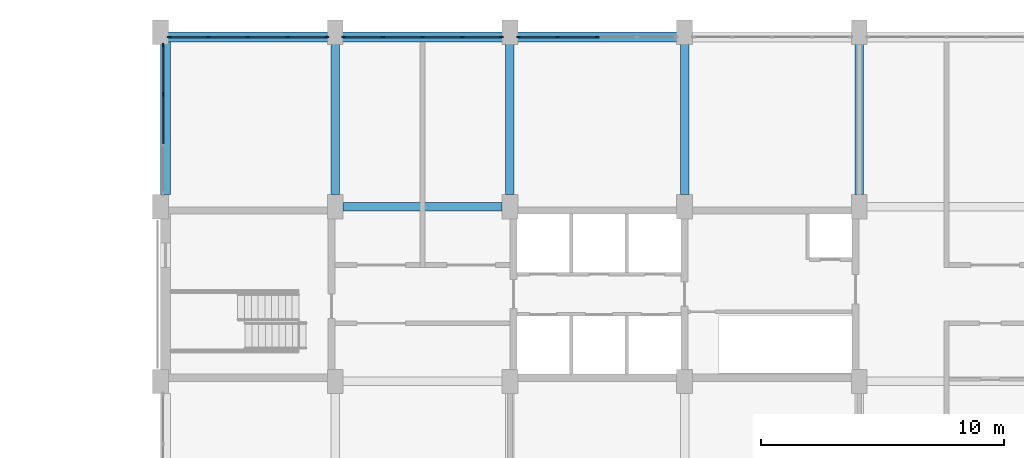
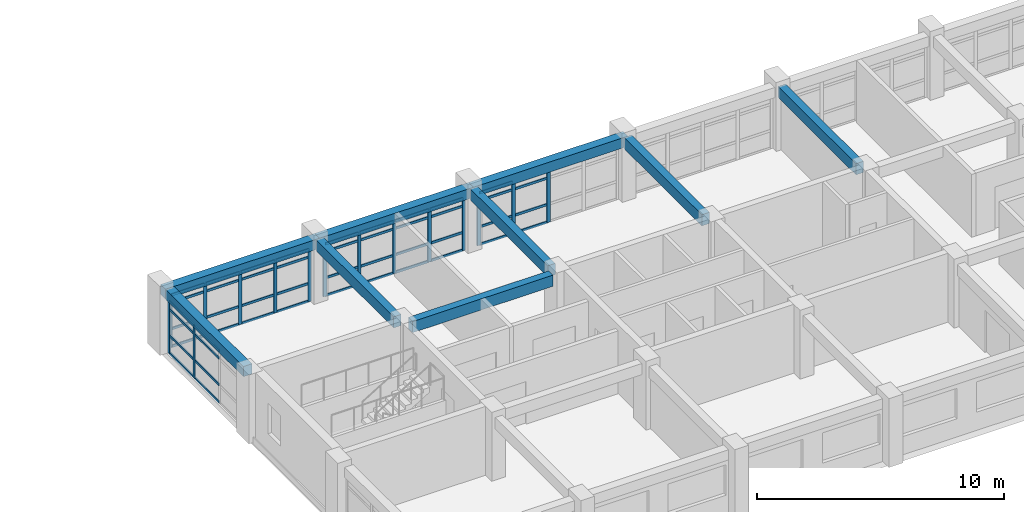
# One storey, part 6 of 19: 62 members, 9 beams, 4 elements without a shape of their own.
"""IFC4 building model written with IfcOpenShell, lengths in metres."""

from ifc_helpers import new_model, si_unit, direction, frame, origin, origin_2d, place, context, subcontext, project, spatial, rectangle, extrude, material, material_profile, profile_set, type_object, element, aggregate, save


model = new_model("IFC4")

# Units and contexts
model_context = context("Model", 3, precision=1e-05, world=origin(), true_north=direction((0.0, 1.0)))
body_context = subcontext(model_context, "Body", "Model", "MODEL_VIEW")
ifc_project = project(units=[si_unit("LENGTHUNIT", "METRE"), si_unit("AREAUNIT", "SQUARE_METRE"), si_unit("VOLUMEUNIT", "CUBIC_METRE"), si_unit("PLANEANGLEUNIT", "RADIAN"), si_unit("MASSUNIT", "GRAM", prefix="KILO")], contexts=[model_context])

# Site, building, storey
site_placement = place(None, origin())
site = spatial("IfcSite", under=ifc_project, at=site_placement, CompositionType="ELEMENT")
building_placement = place(site_placement, origin())
building = spatial("IfcBuilding", under=site, at=building_placement, Name="Vermilion Court Aquatics Centre", CompositionType="ELEMENT")
storey_placement = place(building_placement, frame((0.0, 0.0, 19.89990234375)))
storey = spatial("IfcBuildingStorey", under=building, at=storey_placement, Name="L04", CompositionType="ELEMENT", Elevation=19.89990234375)

# Curtain wall, members
ifc_material_1 = material(Name="Aluminium 6063-T5", Category="aluminium")
curtain_wall_type = type_object("IfcCurtainWallType", Name="North block glazed bay curtain wall 1800 module", PredefinedType="NOTDEFINED", material=ifc_material_1)
curtain_wall_1_placement = place(storey_placement, origin())
curtain_wall_1 = element("IfcCurtainWall", 1, at=curtain_wall_1_placement, inside=storey, type_object=curtain_wall_type, Name="North glazed bay 1 L04", PredefinedType="NOTDEFINED")
ifc_material_2 = material(Name="Aluminium 6063-T5", Category="aluminium")
ifc_material_profile_1 = material_profile(ifc_material_2, rectangle(XDim=0.06005859375, YDim=0.159912109375, at=origin_2d()), Name="AL 60x160")
ifc_profile_set_1 = profile_set([ifc_material_profile_1], Name="Aluminium 6063-T5")
member_type_1 = type_object("IfcMemberType", Name="North block curtain wall mullion 60x160", PredefinedType="MULLION", material=ifc_profile_set_1)
member_1_placement = place(storey_placement, frame((144.35498046875, 115.0, 0.0), z_axis=(0.0, 0.0, 1.0), x_axis=(0.0, 1.0, 0.0)))
member_1 = element("IfcMember", 2, at=member_1_placement, type_object=member_type_1, Name="UCW1 mullion 1", PredefinedType="MULLION", context=body_context, shape_type="SweptSolid", body=[
    extrude(rectangle(XDim=0.06005859375, YDim=0.159912109375, at=origin_2d()), origin(), (0.0, 0.0, 1.0), 2.60009765625),
])
member_2_placement = place(storey_placement, frame((145.96240234375, 115.0, 0.0), z_axis=(0.0, 0.0, 1.0), x_axis=(0.0, 1.0, 0.0)))
member_2 = element("IfcMember", 3, at=member_2_placement, type_object=member_type_1, Name="UCW1 mullion 2", PredefinedType="MULLION", context=body_context, shape_type="SweptSolid", body=[
    extrude(rectangle(XDim=0.06005859375, YDim=0.159912109375, at=origin_2d()), origin(), (0.0, 0.0, 1.0), 2.60009765625),
])
member_3_placement = place(storey_placement, frame((147.60009765625, 115.0, 0.0), z_axis=(0.0, 0.0, 1.0), x_axis=(0.0, 1.0, 0.0)))
member_3 = element("IfcMember", 4, at=member_3_placement, type_object=member_type_1, Name="UCW1 mullion 3", PredefinedType="MULLION", context=body_context, shape_type="SweptSolid", body=[
    extrude(rectangle(XDim=0.06005859375, YDim=0.159912109375, at=origin_2d()), origin(), (0.0, 0.0, 1.0), 2.60009765625),
])
member_4_placement = place(storey_placement, frame((149.237548828125, 115.0, 0.0), z_axis=(0.0, 0.0, 1.0), x_axis=(0.0, 1.0, 0.0)))
member_4 = element("IfcMember", 5, at=member_4_placement, type_object=member_type_1, Name="UCW1 mullion 4", PredefinedType="MULLION", context=body_context, shape_type="SweptSolid", body=[
    extrude(rectangle(XDim=0.06005859375, YDim=0.159912109375, at=origin_2d()), origin(), (0.0, 0.0, 1.0), 2.60009765625),
])
member_5_placement = place(storey_placement, frame((150.844970703125, 115.0, 0.0), z_axis=(0.0, 0.0, 1.0), x_axis=(0.0, 1.0, 0.0)))
member_5 = element("IfcMember", 6, at=member_5_placement, type_object=member_type_1, Name="UCW1 mullion 5", PredefinedType="MULLION", context=body_context, shape_type="SweptSolid", body=[
    extrude(rectangle(XDim=0.06005859375, YDim=0.159912109375, at=origin_2d()), origin(), (0.0, 0.0, 1.0), 2.60009765625),
])

curtain_wall_2_placement = place(storey_placement, origin())
curtain_wall_2 = element("IfcCurtainWall", 7, at=curtain_wall_2_placement, inside=storey, type_object=curtain_wall_type, Name="North glazed bay 2 L04", PredefinedType="NOTDEFINED")
member_6_placement = place(storey_placement, frame((151.554931640625, 115.0, 0.0), z_axis=(0.0, 0.0, 1.0), x_axis=(0.0, 1.0, 0.0)))
member_6 = element("IfcMember", 8, at=member_6_placement, type_object=member_type_1, Name="UCW1 mullion 1", PredefinedType="MULLION", context=body_context, shape_type="SweptSolid", body=[
    extrude(rectangle(XDim=0.06005859375, YDim=0.159912109375, at=origin_2d()), origin(), (0.0, 0.0, 1.0), 2.60009765625),
])
member_7_placement = place(storey_placement, frame((153.16259765625, 115.0, 0.0), z_axis=(0.0, 0.0, 1.0), x_axis=(0.0, 1.0, 0.0)))
member_7 = element("IfcMember", 9, at=member_7_placement, type_object=member_type_1, Name="UCW1 mullion 2", PredefinedType="MULLION", context=body_context, shape_type="SweptSolid", body=[
    extrude(rectangle(XDim=0.06005859375, YDim=0.159912109375, at=origin_2d()), origin(), (0.0, 0.0, 1.0), 2.60009765625),
])
member_8_placement = place(storey_placement, frame((154.800048828125, 115.0, 0.0), z_axis=(0.0, 0.0, 1.0), x_axis=(0.0, 1.0, 0.0)))
member_8 = element("IfcMember", 10, at=member_8_placement, type_object=member_type_1, Name="UCW1 mullion 3", PredefinedType="MULLION", context=body_context, shape_type="SweptSolid", body=[
    extrude(rectangle(XDim=0.06005859375, YDim=0.159912109375, at=origin_2d()), origin(), (0.0, 0.0, 1.0), 2.60009765625),
])
member_9_placement = place(storey_placement, frame((156.4375, 115.0, 0.0), z_axis=(0.0, 0.0, 1.0), x_axis=(0.0, 1.0, 0.0)))
member_9 = element("IfcMember", 11, at=member_9_placement, type_object=member_type_1, Name="UCW1 mullion 4", PredefinedType="MULLION", context=body_context, shape_type="SweptSolid", body=[
    extrude(rectangle(XDim=0.06005859375, YDim=0.159912109375, at=origin_2d()), origin(), (0.0, 0.0, 1.0), 2.60009765625),
])
member_10_placement = place(storey_placement, frame((158.044921875, 115.0, 0.0), z_axis=(0.0, 0.0, 1.0), x_axis=(0.0, 1.0, 0.0)))
member_10 = element("IfcMember", 12, at=member_10_placement, type_object=member_type_1, Name="UCW1 mullion 5", PredefinedType="MULLION", context=body_context, shape_type="SweptSolid", body=[
    extrude(rectangle(XDim=0.06005859375, YDim=0.159912109375, at=origin_2d()), origin(), (0.0, 0.0, 1.0), 2.60009765625),
])

curtain_wall_3_placement = place(storey_placement, origin())
curtain_wall_3 = element("IfcCurtainWall", 13, at=curtain_wall_3_placement, inside=storey, type_object=curtain_wall_type, Name="North glazed bay 3 L04", PredefinedType="NOTDEFINED")
member_11_placement = place(storey_placement, frame((158.7548828125, 115.0, 0.0), z_axis=(0.0, 0.0, 1.0), x_axis=(0.0, 1.0, 0.0)))
member_11 = element("IfcMember", 14, at=member_11_placement, type_object=member_type_1, Name="UCW1 mullion 1", PredefinedType="MULLION", context=body_context, shape_type="SweptSolid", body=[
    extrude(rectangle(XDim=0.06005859375, YDim=0.159912109375, at=origin_2d()), origin(), (0.0, 0.0, 1.0), 2.60009765625),
])
member_12_placement = place(storey_placement, frame((160.362548828125, 115.0, 0.0), z_axis=(0.0, 0.0, 1.0), x_axis=(0.0, 1.0, 0.0)))
member_12 = element("IfcMember", 15, at=member_12_placement, type_object=member_type_1, Name="UCW1 mullion 2", PredefinedType="MULLION", context=body_context, shape_type="SweptSolid", body=[
    extrude(rectangle(XDim=0.06005859375, YDim=0.159912109375, at=origin_2d()), origin(), (0.0, 0.0, 1.0), 2.60009765625),
])
member_13_placement = place(storey_placement, frame((162.0, 115.0, 0.0), z_axis=(0.0, 0.0, 1.0), x_axis=(0.0, 1.0, 0.0)))
member_13 = element("IfcMember", 16, at=member_13_placement, type_object=member_type_1, Name="UCW1 mullion 3", PredefinedType="MULLION", context=body_context, shape_type="SweptSolid", body=[
    extrude(rectangle(XDim=0.06005859375, YDim=0.159912109375, at=origin_2d()), origin(), (0.0, 0.0, 1.0), 2.60009765625),
])

curtain_wall_4_placement = place(storey_placement, origin())
curtain_wall_4 = element("IfcCurtainWall", 17, at=curtain_wall_4_placement, inside=storey, type_object=curtain_wall_type, Name="West glazed bay 2 L04", PredefinedType="NOTDEFINED")
member_14_placement = place(storey_placement, frame((144.10009765625, 112.63330078125, 0.0), z_axis=(0.0, 0.0, 1.0), x_axis=(-1.0, 0.0, 0.0)))
member_14 = element("IfcMember", 18, at=member_14_placement, type_object=member_type_1, Name="UCW1 mullion 3", PredefinedType="MULLION", context=body_context, shape_type="SweptSolid", body=[
    extrude(rectangle(XDim=0.06005859375, YDim=0.159912109375, at=origin_2d()), origin(), (0.0, 0.0, 1.0), 2.60009765625),
])
member_15_placement = place(storey_placement, frame((144.10009765625, 114.669921875, 0.0), z_axis=(0.0, 0.0, 1.0), x_axis=(-1.0, 0.0, 0.0)))
member_15 = element("IfcMember", 19, at=member_15_placement, type_object=member_type_1, Name="UCW1 mullion 4", PredefinedType="MULLION", context=body_context, shape_type="SweptSolid", body=[
    extrude(rectangle(XDim=0.06005859375, YDim=0.159912109375, at=origin_2d()), origin(), (0.0, 0.0, 1.0), 2.60009765625),
])

# Member
ifc_material_3 = material(Name="Aluminium 6063-T5", Category="aluminium")
ifc_material_profile_2 = material_profile(ifc_material_3, rectangle(XDim=0.06005859375, YDim=0.1201171875, at=origin_2d()), Name="AL 60x120")
ifc_profile_set_2 = profile_set([ifc_material_profile_2], Name="Aluminium 6063-T5")
member_type_2 = type_object("IfcMemberType", Name="North block curtain wall transom 60x120", PredefinedType="USERDEFINED", material=ifc_profile_set_2)
member_16_placement = place(storey_placement, frame((144.385009765625, 115.0, 0.030029296875), z_axis=(1.0, 0.0, 0.0), x_axis=(0.0, 1.0, 0.0)))
member_16 = element("IfcMember", 20, at=member_16_placement, type_object=member_type_2, Name="UCW1 transom 1.1", ObjectType="TRANSOM", PredefinedType="USERDEFINED", context=body_context, shape_type="SweptSolid", body=[
    extrude(rectangle(XDim=0.06005859375, YDim=0.1201171875, at=origin_2d()), origin(), (0.0, 0.0, 1.0), 1.547607421875),
])

member_17_placement = place(storey_placement, frame((144.385009765625, 115.0, 0.900146484375), z_axis=(1.0, 0.0, 0.0), x_axis=(0.0, 1.0, 0.0)))
member_17 = element("IfcMember", 21, at=member_17_placement, type_object=member_type_2, Name="UCW1 transom 1.2", ObjectType="TRANSOM", PredefinedType="USERDEFINED", context=body_context, shape_type="SweptSolid", body=[
    extrude(rectangle(XDim=0.06005859375, YDim=0.1201171875, at=origin_2d()), origin(), (0.0, 0.0, 1.0), 1.547607421875),
])

member_18_placement = place(storey_placement, frame((144.385009765625, 115.0, 2.2001953125), z_axis=(1.0, 0.0, 0.0), x_axis=(0.0, 1.0, 0.0)))
member_18 = element("IfcMember", 22, at=member_18_placement, type_object=member_type_2, Name="UCW1 transom 1.3", ObjectType="TRANSOM", PredefinedType="USERDEFINED", context=body_context, shape_type="SweptSolid", body=[
    extrude(rectangle(XDim=0.06005859375, YDim=0.1201171875, at=origin_2d()), origin(), (0.0, 0.0, 1.0), 1.547607421875),
])

member_19_placement = place(storey_placement, frame((144.385009765625, 115.0, 2.570068359375), z_axis=(1.0, 0.0, 0.0), x_axis=(0.0, 1.0, 0.0)))
member_19 = element("IfcMember", 23, at=member_19_placement, type_object=member_type_2, Name="UCW1 transom 1.4", ObjectType="TRANSOM", PredefinedType="USERDEFINED", context=body_context, shape_type="SweptSolid", body=[
    extrude(rectangle(XDim=0.06005859375, YDim=0.1201171875, at=origin_2d()), origin(), (0.0, 0.0, 1.0), 1.547607421875),
])

member_20_placement = place(storey_placement, frame((145.992431640625, 115.0, 0.030029296875), z_axis=(1.0, 0.0, 0.0), x_axis=(0.0, 1.0, 0.0)))
member_20 = element("IfcMember", 24, at=member_20_placement, type_object=member_type_2, Name="UCW1 transom 2.1", ObjectType="TRANSOM", PredefinedType="USERDEFINED", context=body_context, shape_type="SweptSolid", body=[
    extrude(rectangle(XDim=0.06005859375, YDim=0.1201171875, at=origin_2d()), origin(), (0.0, 0.0, 1.0), 1.57763671875),
])

member_21_placement = place(storey_placement, frame((145.992431640625, 115.0, 0.900146484375), z_axis=(1.0, 0.0, 0.0), x_axis=(0.0, 1.0, 0.0)))
member_21 = element("IfcMember", 25, at=member_21_placement, type_object=member_type_2, Name="UCW1 transom 2.2", ObjectType="TRANSOM", PredefinedType="USERDEFINED", context=body_context, shape_type="SweptSolid", body=[
    extrude(rectangle(XDim=0.06005859375, YDim=0.1201171875, at=origin_2d()), origin(), (0.0, 0.0, 1.0), 1.57763671875),
])

member_22_placement = place(storey_placement, frame((145.992431640625, 115.0, 2.2001953125), z_axis=(1.0, 0.0, 0.0), x_axis=(0.0, 1.0, 0.0)))
member_22 = element("IfcMember", 26, at=member_22_placement, type_object=member_type_2, Name="UCW1 transom 2.3", ObjectType="TRANSOM", PredefinedType="USERDEFINED", context=body_context, shape_type="SweptSolid", body=[
    extrude(rectangle(XDim=0.06005859375, YDim=0.1201171875, at=origin_2d()), origin(), (0.0, 0.0, 1.0), 1.57763671875),
])

member_23_placement = place(storey_placement, frame((145.992431640625, 115.0, 2.570068359375), z_axis=(1.0, 0.0, 0.0), x_axis=(0.0, 1.0, 0.0)))
member_23 = element("IfcMember", 27, at=member_23_placement, type_object=member_type_2, Name="UCW1 transom 2.4", ObjectType="TRANSOM", PredefinedType="USERDEFINED", context=body_context, shape_type="SweptSolid", body=[
    extrude(rectangle(XDim=0.06005859375, YDim=0.1201171875, at=origin_2d()), origin(), (0.0, 0.0, 1.0), 1.57763671875),
])

member_24_placement = place(storey_placement, frame((147.6298828125, 115.0, 0.030029296875), z_axis=(1.0, 0.0, 0.0), x_axis=(0.0, 1.0, 0.0)))
member_24 = element("IfcMember", 28, at=member_24_placement, type_object=member_type_2, Name="UCW1 transom 3.1", ObjectType="TRANSOM", PredefinedType="USERDEFINED", context=body_context, shape_type="SweptSolid", body=[
    extrude(rectangle(XDim=0.06005859375, YDim=0.1201171875, at=origin_2d()), origin(), (0.0, 0.0, 1.0), 1.57763671875),
])

member_25_placement = place(storey_placement, frame((147.6298828125, 115.0, 0.900146484375), z_axis=(1.0, 0.0, 0.0), x_axis=(0.0, 1.0, 0.0)))
member_25 = element("IfcMember", 29, at=member_25_placement, type_object=member_type_2, Name="UCW1 transom 3.2", ObjectType="TRANSOM", PredefinedType="USERDEFINED", context=body_context, shape_type="SweptSolid", body=[
    extrude(rectangle(XDim=0.06005859375, YDim=0.1201171875, at=origin_2d()), origin(), (0.0, 0.0, 1.0), 1.57763671875),
])

member_26_placement = place(storey_placement, frame((147.6298828125, 115.0, 2.2001953125), z_axis=(1.0, 0.0, 0.0), x_axis=(0.0, 1.0, 0.0)))
member_26 = element("IfcMember", 30, at=member_26_placement, type_object=member_type_2, Name="UCW1 transom 3.3", ObjectType="TRANSOM", PredefinedType="USERDEFINED", context=body_context, shape_type="SweptSolid", body=[
    extrude(rectangle(XDim=0.06005859375, YDim=0.1201171875, at=origin_2d()), origin(), (0.0, 0.0, 1.0), 1.57763671875),
])

member_27_placement = place(storey_placement, frame((147.6298828125, 115.0, 2.570068359375), z_axis=(1.0, 0.0, 0.0), x_axis=(0.0, 1.0, 0.0)))
member_27 = element("IfcMember", 31, at=member_27_placement, type_object=member_type_2, Name="UCW1 transom 3.4", ObjectType="TRANSOM", PredefinedType="USERDEFINED", context=body_context, shape_type="SweptSolid", body=[
    extrude(rectangle(XDim=0.06005859375, YDim=0.1201171875, at=origin_2d()), origin(), (0.0, 0.0, 1.0), 1.57763671875),
])

member_28_placement = place(storey_placement, frame((149.267578125, 115.0, 0.030029296875), z_axis=(1.0, 0.0, 0.0), x_axis=(0.0, 1.0, 0.0)))
member_28 = element("IfcMember", 32, at=member_28_placement, type_object=member_type_2, Name="UCW1 transom 4.1", ObjectType="TRANSOM", PredefinedType="USERDEFINED", context=body_context, shape_type="SweptSolid", body=[
    extrude(rectangle(XDim=0.06005859375, YDim=0.1201171875, at=origin_2d()), origin(), (0.0, 0.0, 1.0), 1.54736328125),
])

member_29_placement = place(storey_placement, frame((149.267578125, 115.0, 0.900146484375), z_axis=(1.0, 0.0, 0.0), x_axis=(0.0, 1.0, 0.0)))
member_29 = element("IfcMember", 33, at=member_29_placement, type_object=member_type_2, Name="UCW1 transom 4.2", ObjectType="TRANSOM", PredefinedType="USERDEFINED", context=body_context, shape_type="SweptSolid", body=[
    extrude(rectangle(XDim=0.06005859375, YDim=0.1201171875, at=origin_2d()), origin(), (0.0, 0.0, 1.0), 1.54736328125),
])

member_30_placement = place(storey_placement, frame((149.267578125, 115.0, 2.2001953125), z_axis=(1.0, 0.0, 0.0), x_axis=(0.0, 1.0, 0.0)))
member_30 = element("IfcMember", 34, at=member_30_placement, type_object=member_type_2, Name="UCW1 transom 4.3", ObjectType="TRANSOM", PredefinedType="USERDEFINED", context=body_context, shape_type="SweptSolid", body=[
    extrude(rectangle(XDim=0.06005859375, YDim=0.1201171875, at=origin_2d()), origin(), (0.0, 0.0, 1.0), 1.54736328125),
])

member_31_placement = place(storey_placement, frame((149.267578125, 115.0, 2.570068359375), z_axis=(1.0, 0.0, 0.0), x_axis=(0.0, 1.0, 0.0)))
member_31 = element("IfcMember", 35, at=member_31_placement, type_object=member_type_2, Name="UCW1 transom 4.4", ObjectType="TRANSOM", PredefinedType="USERDEFINED", context=body_context, shape_type="SweptSolid", body=[
    extrude(rectangle(XDim=0.06005859375, YDim=0.1201171875, at=origin_2d()), origin(), (0.0, 0.0, 1.0), 1.54736328125),
])

aggregate(curtain_wall_1, [member_1, member_2, member_3, member_4, member_5, member_16, member_17, member_18, member_19, member_20, member_21, member_22, member_23, member_24, member_25, member_26, member_27, member_28, member_29, member_30, member_31])

member_32_placement = place(storey_placement, frame((151.5849609375, 115.0, 0.030029296875), z_axis=(1.0, 0.0, 0.0), x_axis=(0.0, 1.0, 0.0)))
member_32 = element("IfcMember", 36, at=member_32_placement, type_object=member_type_2, Name="UCW1 transom 1.1", ObjectType="TRANSOM", PredefinedType="USERDEFINED", context=body_context, shape_type="SweptSolid", body=[
    extrude(rectangle(XDim=0.06005859375, YDim=0.1201171875, at=origin_2d()), origin(), (0.0, 0.0, 1.0), 1.547607421875),
])

member_33_placement = place(storey_placement, frame((151.5849609375, 115.0, 0.900146484375), z_axis=(1.0, 0.0, 0.0), x_axis=(0.0, 1.0, 0.0)))
member_33 = element("IfcMember", 37, at=member_33_placement, type_object=member_type_2, Name="UCW1 transom 1.2", ObjectType="TRANSOM", PredefinedType="USERDEFINED", context=body_context, shape_type="SweptSolid", body=[
    extrude(rectangle(XDim=0.06005859375, YDim=0.1201171875, at=origin_2d()), origin(), (0.0, 0.0, 1.0), 1.547607421875),
])

member_34_placement = place(storey_placement, frame((151.5849609375, 115.0, 2.2001953125), z_axis=(1.0, 0.0, 0.0), x_axis=(0.0, 1.0, 0.0)))
member_34 = element("IfcMember", 38, at=member_34_placement, type_object=member_type_2, Name="UCW1 transom 1.3", ObjectType="TRANSOM", PredefinedType="USERDEFINED", context=body_context, shape_type="SweptSolid", body=[
    extrude(rectangle(XDim=0.06005859375, YDim=0.1201171875, at=origin_2d()), origin(), (0.0, 0.0, 1.0), 1.547607421875),
])

member_35_placement = place(storey_placement, frame((151.5849609375, 115.0, 2.570068359375), z_axis=(1.0, 0.0, 0.0), x_axis=(0.0, 1.0, 0.0)))
member_35 = element("IfcMember", 39, at=member_35_placement, type_object=member_type_2, Name="UCW1 transom 1.4", ObjectType="TRANSOM", PredefinedType="USERDEFINED", context=body_context, shape_type="SweptSolid", body=[
    extrude(rectangle(XDim=0.06005859375, YDim=0.1201171875, at=origin_2d()), origin(), (0.0, 0.0, 1.0), 1.547607421875),
])

member_36_placement = place(storey_placement, frame((153.1923828125, 115.0, 0.030029296875), z_axis=(1.0, 0.0, 0.0), x_axis=(0.0, 1.0, 0.0)))
member_36 = element("IfcMember", 40, at=member_36_placement, type_object=member_type_2, Name="UCW1 transom 2.1", ObjectType="TRANSOM", PredefinedType="USERDEFINED", context=body_context, shape_type="SweptSolid", body=[
    extrude(rectangle(XDim=0.06005859375, YDim=0.1201171875, at=origin_2d()), origin(), (0.0, 0.0, 1.0), 1.57763671875),
])

member_37_placement = place(storey_placement, frame((153.1923828125, 115.0, 0.900146484375), z_axis=(1.0, 0.0, 0.0), x_axis=(0.0, 1.0, 0.0)))
member_37 = element("IfcMember", 41, at=member_37_placement, type_object=member_type_2, Name="UCW1 transom 2.2", ObjectType="TRANSOM", PredefinedType="USERDEFINED", context=body_context, shape_type="SweptSolid", body=[
    extrude(rectangle(XDim=0.06005859375, YDim=0.1201171875, at=origin_2d()), origin(), (0.0, 0.0, 1.0), 1.57763671875),
])

member_38_placement = place(storey_placement, frame((153.1923828125, 115.0, 2.2001953125), z_axis=(1.0, 0.0, 0.0), x_axis=(0.0, 1.0, 0.0)))
member_38 = element("IfcMember", 42, at=member_38_placement, type_object=member_type_2, Name="UCW1 transom 2.3", ObjectType="TRANSOM", PredefinedType="USERDEFINED", context=body_context, shape_type="SweptSolid", body=[
    extrude(rectangle(XDim=0.06005859375, YDim=0.1201171875, at=origin_2d()), origin(), (0.0, 0.0, 1.0), 1.57763671875),
])

member_39_placement = place(storey_placement, frame((153.1923828125, 115.0, 2.570068359375), z_axis=(1.0, 0.0, 0.0), x_axis=(0.0, 1.0, 0.0)))
member_39 = element("IfcMember", 43, at=member_39_placement, type_object=member_type_2, Name="UCW1 transom 2.4", ObjectType="TRANSOM", PredefinedType="USERDEFINED", context=body_context, shape_type="SweptSolid", body=[
    extrude(rectangle(XDim=0.06005859375, YDim=0.1201171875, at=origin_2d()), origin(), (0.0, 0.0, 1.0), 1.57763671875),
])

member_40_placement = place(storey_placement, frame((154.830078125, 115.0, 0.030029296875), z_axis=(1.0, 0.0, 0.0), x_axis=(0.0, 1.0, 0.0)))
member_40 = element("IfcMember", 44, at=member_40_placement, type_object=member_type_2, Name="UCW1 transom 3.1", ObjectType="TRANSOM", PredefinedType="USERDEFINED", context=body_context, shape_type="SweptSolid", body=[
    extrude(rectangle(XDim=0.06005859375, YDim=0.1201171875, at=origin_2d()), origin(), (0.0, 0.0, 1.0), 1.577392578125),
])

member_41_placement = place(storey_placement, frame((154.830078125, 115.0, 0.900146484375), z_axis=(1.0, 0.0, 0.0), x_axis=(0.0, 1.0, 0.0)))
member_41 = element("IfcMember", 45, at=member_41_placement, type_object=member_type_2, Name="UCW1 transom 3.2", ObjectType="TRANSOM", PredefinedType="USERDEFINED", context=body_context, shape_type="SweptSolid", body=[
    extrude(rectangle(XDim=0.06005859375, YDim=0.1201171875, at=origin_2d()), origin(), (0.0, 0.0, 1.0), 1.577392578125),
])

member_42_placement = place(storey_placement, frame((154.830078125, 115.0, 2.2001953125), z_axis=(1.0, 0.0, 0.0), x_axis=(0.0, 1.0, 0.0)))
member_42 = element("IfcMember", 46, at=member_42_placement, type_object=member_type_2, Name="UCW1 transom 3.3", ObjectType="TRANSOM", PredefinedType="USERDEFINED", context=body_context, shape_type="SweptSolid", body=[
    extrude(rectangle(XDim=0.06005859375, YDim=0.1201171875, at=origin_2d()), origin(), (0.0, 0.0, 1.0), 1.577392578125),
])

member_43_placement = place(storey_placement, frame((154.830078125, 115.0, 2.570068359375), z_axis=(1.0, 0.0, 0.0), x_axis=(0.0, 1.0, 0.0)))
member_43 = element("IfcMember", 47, at=member_43_placement, type_object=member_type_2, Name="UCW1 transom 3.4", ObjectType="TRANSOM", PredefinedType="USERDEFINED", context=body_context, shape_type="SweptSolid", body=[
    extrude(rectangle(XDim=0.06005859375, YDim=0.1201171875, at=origin_2d()), origin(), (0.0, 0.0, 1.0), 1.577392578125),
])

member_44_placement = place(storey_placement, frame((156.467529296875, 115.0, 0.030029296875), z_axis=(1.0, 0.0, 0.0), x_axis=(0.0, 1.0, 0.0)))
member_44 = element("IfcMember", 48, at=member_44_placement, type_object=member_type_2, Name="UCW1 transom 4.1", ObjectType="TRANSOM", PredefinedType="USERDEFINED", context=body_context, shape_type="SweptSolid", body=[
    extrude(rectangle(XDim=0.06005859375, YDim=0.1201171875, at=origin_2d()), origin(), (0.0, 0.0, 1.0), 1.54736328125),
])

member_45_placement = place(storey_placement, frame((156.467529296875, 115.0, 0.900146484375), z_axis=(1.0, 0.0, 0.0), x_axis=(0.0, 1.0, 0.0)))
member_45 = element("IfcMember", 49, at=member_45_placement, type_object=member_type_2, Name="UCW1 transom 4.2", ObjectType="TRANSOM", PredefinedType="USERDEFINED", context=body_context, shape_type="SweptSolid", body=[
    extrude(rectangle(XDim=0.06005859375, YDim=0.1201171875, at=origin_2d()), origin(), (0.0, 0.0, 1.0), 1.54736328125),
])

member_46_placement = place(storey_placement, frame((156.467529296875, 115.0, 2.2001953125), z_axis=(1.0, 0.0, 0.0), x_axis=(0.0, 1.0, 0.0)))
member_46 = element("IfcMember", 50, at=member_46_placement, type_object=member_type_2, Name="UCW1 transom 4.3", ObjectType="TRANSOM", PredefinedType="USERDEFINED", context=body_context, shape_type="SweptSolid", body=[
    extrude(rectangle(XDim=0.06005859375, YDim=0.1201171875, at=origin_2d()), origin(), (0.0, 0.0, 1.0), 1.54736328125),
])

member_47_placement = place(storey_placement, frame((156.467529296875, 115.0, 2.570068359375), z_axis=(1.0, 0.0, 0.0), x_axis=(0.0, 1.0, 0.0)))
member_47 = element("IfcMember", 51, at=member_47_placement, type_object=member_type_2, Name="UCW1 transom 4.4", ObjectType="TRANSOM", PredefinedType="USERDEFINED", context=body_context, shape_type="SweptSolid", body=[
    extrude(rectangle(XDim=0.06005859375, YDim=0.1201171875, at=origin_2d()), origin(), (0.0, 0.0, 1.0), 1.54736328125),
])

aggregate(curtain_wall_2, [member_6, member_7, member_8, member_9, member_10, member_32, member_33, member_34, member_35, member_36, member_37, member_38, member_39, member_40, member_41, member_42, member_43, member_44, member_45, member_46, member_47])

member_48_placement = place(storey_placement, frame((158.784912109375, 115.0, 0.030029296875), z_axis=(1.0, 0.0, 0.0), x_axis=(0.0, 1.0, 0.0)))
member_48 = element("IfcMember", 52, at=member_48_placement, type_object=member_type_2, Name="UCW1 transom 1.1", ObjectType="TRANSOM", PredefinedType="USERDEFINED", context=body_context, shape_type="SweptSolid", body=[
    extrude(rectangle(XDim=0.06005859375, YDim=0.1201171875, at=origin_2d()), origin(), (0.0, 0.0, 1.0), 1.547607421875),
])

member_49_placement = place(storey_placement, frame((158.784912109375, 115.0, 0.900146484375), z_axis=(1.0, 0.0, 0.0), x_axis=(0.0, 1.0, 0.0)))
member_49 = element("IfcMember", 53, at=member_49_placement, type_object=member_type_2, Name="UCW1 transom 1.2", ObjectType="TRANSOM", PredefinedType="USERDEFINED", context=body_context, shape_type="SweptSolid", body=[
    extrude(rectangle(XDim=0.06005859375, YDim=0.1201171875, at=origin_2d()), origin(), (0.0, 0.0, 1.0), 1.547607421875),
])

member_50_placement = place(storey_placement, frame((158.784912109375, 115.0, 2.2001953125), z_axis=(1.0, 0.0, 0.0), x_axis=(0.0, 1.0, 0.0)))
member_50 = element("IfcMember", 54, at=member_50_placement, type_object=member_type_2, Name="UCW1 transom 1.3", ObjectType="TRANSOM", PredefinedType="USERDEFINED", context=body_context, shape_type="SweptSolid", body=[
    extrude(rectangle(XDim=0.06005859375, YDim=0.1201171875, at=origin_2d()), origin(), (0.0, 0.0, 1.0), 1.547607421875),
])

member_51_placement = place(storey_placement, frame((158.784912109375, 115.0, 2.570068359375), z_axis=(1.0, 0.0, 0.0), x_axis=(0.0, 1.0, 0.0)))
member_51 = element("IfcMember", 55, at=member_51_placement, type_object=member_type_2, Name="UCW1 transom 1.4", ObjectType="TRANSOM", PredefinedType="USERDEFINED", context=body_context, shape_type="SweptSolid", body=[
    extrude(rectangle(XDim=0.06005859375, YDim=0.1201171875, at=origin_2d()), origin(), (0.0, 0.0, 1.0), 1.547607421875),
])

member_52_placement = place(storey_placement, frame((160.392578125, 115.0, 0.030029296875), z_axis=(1.0, 0.0, 0.0), x_axis=(0.0, 1.0, 0.0)))
member_52 = element("IfcMember", 56, at=member_52_placement, type_object=member_type_2, Name="UCW1 transom 2.1", ObjectType="TRANSOM", PredefinedType="USERDEFINED", context=body_context, shape_type="SweptSolid", body=[
    extrude(rectangle(XDim=0.06005859375, YDim=0.1201171875, at=origin_2d()), origin(), (0.0, 0.0, 1.0), 1.577392578125),
])

member_53_placement = place(storey_placement, frame((160.392578125, 115.0, 0.900146484375), z_axis=(1.0, 0.0, 0.0), x_axis=(0.0, 1.0, 0.0)))
member_53 = element("IfcMember", 57, at=member_53_placement, type_object=member_type_2, Name="UCW1 transom 2.2", ObjectType="TRANSOM", PredefinedType="USERDEFINED", context=body_context, shape_type="SweptSolid", body=[
    extrude(rectangle(XDim=0.06005859375, YDim=0.1201171875, at=origin_2d()), origin(), (0.0, 0.0, 1.0), 1.577392578125),
])

member_54_placement = place(storey_placement, frame((160.392578125, 115.0, 2.2001953125), z_axis=(1.0, 0.0, 0.0), x_axis=(0.0, 1.0, 0.0)))
member_54 = element("IfcMember", 58, at=member_54_placement, type_object=member_type_2, Name="UCW1 transom 2.3", ObjectType="TRANSOM", PredefinedType="USERDEFINED", context=body_context, shape_type="SweptSolid", body=[
    extrude(rectangle(XDim=0.06005859375, YDim=0.1201171875, at=origin_2d()), origin(), (0.0, 0.0, 1.0), 1.577392578125),
])

aggregate(curtain_wall_3, [member_11, member_12, member_13, member_48, member_49, member_50, member_51, member_52, member_53, member_54])

member_55_placement = place(storey_placement, frame((144.10009765625, 110.5966796875, 0.030029296875), z_axis=(0.0, 1.0, 0.0), x_axis=(-1.0, 0.0, 0.0)))
member_55 = element("IfcMember", 59, at=member_55_placement, type_object=member_type_2, Name="UCW1 transom 2.1", ObjectType="TRANSOM", PredefinedType="USERDEFINED", context=body_context, shape_type="SweptSolid", body=[
    extrude(rectangle(XDim=0.06005859375, YDim=0.1201171875, at=origin_2d()), origin(), (0.0, 0.0, 1.0), 2.006591796875),
])

member_56_placement = place(storey_placement, frame((144.10009765625, 110.5966796875, 0.900146484375), z_axis=(0.0, 1.0, 0.0), x_axis=(-1.0, 0.0, 0.0)))
member_56 = element("IfcMember", 60, at=member_56_placement, type_object=member_type_2, Name="UCW1 transom 2.2", ObjectType="TRANSOM", PredefinedType="USERDEFINED", context=body_context, shape_type="SweptSolid", body=[
    extrude(rectangle(XDim=0.06005859375, YDim=0.1201171875, at=origin_2d()), origin(), (0.0, 0.0, 1.0), 2.006591796875),
])

member_57_placement = place(storey_placement, frame((144.10009765625, 110.5966796875, 2.2001953125), z_axis=(0.0, 1.0, 0.0), x_axis=(-1.0, 0.0, 0.0)))
member_57 = element("IfcMember", 61, at=member_57_placement, type_object=member_type_2, Name="UCW1 transom 2.3", ObjectType="TRANSOM", PredefinedType="USERDEFINED", context=body_context, shape_type="SweptSolid", body=[
    extrude(rectangle(XDim=0.06005859375, YDim=0.1201171875, at=origin_2d()), origin(), (0.0, 0.0, 1.0), 2.006591796875),
])

member_58_placement = place(storey_placement, frame((144.10009765625, 110.5966796875, 2.570068359375), z_axis=(0.0, 1.0, 0.0), x_axis=(-1.0, 0.0, 0.0)))
member_58 = element("IfcMember", 62, at=member_58_placement, type_object=member_type_2, Name="UCW1 transom 2.4", ObjectType="TRANSOM", PredefinedType="USERDEFINED", context=body_context, shape_type="SweptSolid", body=[
    extrude(rectangle(XDim=0.06005859375, YDim=0.1201171875, at=origin_2d()), origin(), (0.0, 0.0, 1.0), 2.006591796875),
])

member_59_placement = place(storey_placement, frame((144.10009765625, 112.663330078125, 0.030029296875), z_axis=(0.0, 1.0, 0.0), x_axis=(-1.0, 0.0, 0.0)))
member_59 = element("IfcMember", 63, at=member_59_placement, type_object=member_type_2, Name="UCW1 transom 3.1", ObjectType="TRANSOM", PredefinedType="USERDEFINED", context=body_context, shape_type="SweptSolid", body=[
    extrude(rectangle(XDim=0.06005859375, YDim=0.1201171875, at=origin_2d()), origin(), (0.0, 0.0, 1.0), 1.9765625),
])

member_60_placement = place(storey_placement, frame((144.10009765625, 112.663330078125, 0.900146484375), z_axis=(0.0, 1.0, 0.0), x_axis=(-1.0, 0.0, 0.0)))
member_60 = element("IfcMember", 64, at=member_60_placement, type_object=member_type_2, Name="UCW1 transom 3.2", ObjectType="TRANSOM", PredefinedType="USERDEFINED", context=body_context, shape_type="SweptSolid", body=[
    extrude(rectangle(XDim=0.06005859375, YDim=0.1201171875, at=origin_2d()), origin(), (0.0, 0.0, 1.0), 1.9765625),
])

member_61_placement = place(storey_placement, frame((144.10009765625, 112.663330078125, 2.2001953125), z_axis=(0.0, 1.0, 0.0), x_axis=(-1.0, 0.0, 0.0)))
member_61 = element("IfcMember", 65, at=member_61_placement, type_object=member_type_2, Name="UCW1 transom 3.3", ObjectType="TRANSOM", PredefinedType="USERDEFINED", context=body_context, shape_type="SweptSolid", body=[
    extrude(rectangle(XDim=0.06005859375, YDim=0.1201171875, at=origin_2d()), origin(), (0.0, 0.0, 1.0), 1.9765625),
])

member_62_placement = place(storey_placement, frame((144.10009765625, 112.663330078125, 2.570068359375), z_axis=(0.0, 1.0, 0.0), x_axis=(-1.0, 0.0, 0.0)))
member_62 = element("IfcMember", 66, at=member_62_placement, type_object=member_type_2, Name="UCW1 transom 3.4", ObjectType="TRANSOM", PredefinedType="USERDEFINED", context=body_context, shape_type="SweptSolid", body=[
    extrude(rectangle(XDim=0.06005859375, YDim=0.1201171875, at=origin_2d()), origin(), (0.0, 0.0, 1.0), 1.9765625),
])

aggregate(curtain_wall_4, [member_14, member_15, member_55, member_56, member_57, member_58, member_59, member_60, member_61, member_62])

# Beams
ifc_material_4 = material(Name="Concrete 5000 psi", Category="concrete")
ifc_material_profile_3 = material_profile(ifc_material_4, rectangle(XDim=0.35009765625, YDim=0.550048828125, at=origin_2d()), Name="RC 350x550")
ifc_profile_set_3 = profile_set([ifc_material_profile_3], Name="Concrete 5000 psi")
beam_type_1 = type_object("IfcBeamType", Name="North block floor girder 350x550", PredefinedType="BEAM", material=ifc_profile_set_3)
beam_1_placement = place(storey_placement, frame((151.52490234375, 108.0, 2.8251953125), z_axis=(1.0, 0.0, 0.0), x_axis=(0.0, 1.0, 0.0)))
element("IfcBeam", 67, at=beam_1_placement, inside=storey, type_object=beam_type_1, Name="Floor beam ROOF x108", PredefinedType="BEAM", context=body_context, shape_type="SweptSolid", body=[
    extrude(rectangle(XDim=0.35009765625, YDim=0.550048828125, at=origin_2d()), origin(), (0.0, 0.0, 1.0), 6.550048828125),
])
for number, where, z_axis, x_axis, name in (
    (68, (151.199951171875, 108.5, 2.8251953125), (0.0, 1.0, 0.0), (-1.0, 0.0, 0.0), "Floor beam ROOF y151.2"),
    (69, (158.39990234375, 108.5, 2.8251953125), (0.0, 1.0, 0.0), (-1.0, 0.0, 0.0), "Floor beam ROOF y158.4"),
    (70, (165.60009765625, 108.5, 2.8251953125), (0.0, 1.0, 0.0), (-1.0, 0.0, 0.0), "Floor beam ROOF y165.6"),
    (71, (172.800048828125, 108.5, 2.8251953125), (0.0, 1.0, 0.0), (-1.0, 0.0, 0.0), "Floor beam ROOF y172.8"),
):
    element("IfcBeam", number, at=place(storey_placement, frame(where, z_axis=z_axis, x_axis=x_axis)), inside=storey, type_object=beam_type_1, Name=name, PredefinedType="BEAM", context=body_context, shape_type="SweptSolid", body=[
        extrude(rectangle(XDim=0.35009765625, YDim=0.550048828125, at=origin_2d()), origin(), (0.0, 0.0, 1.0), 6.300048828125),
    ])
ifc_material_5 = material(Name="Concrete 6000 psi", Category="concrete")
ifc_material_profile_4 = material_profile(ifc_material_5, rectangle(XDim=0.39990234375, YDim=0.5, at=origin_2d()), Name="RC 400x500")
ifc_profile_set_4 = profile_set([ifc_material_profile_4], Name="Concrete 6000 psi")
beam_type_2 = type_object("IfcBeamType", Name="North block spandrel beam 400x500", PredefinedType="BEAM", material=ifc_profile_set_4)
for number, where, z_axis, x_axis, name in (
    (72, (144.0, 115.0, 2.85009765625), (1.0, 0.0, 0.0), (0.0, 1.0, 0.0), "Spandrel beam ROOF x115.2"),
    (73, (151.199951171875, 115.0, 2.85009765625), (1.0, 0.0, 0.0), (0.0, 1.0, 0.0), "Spandrel beam ROOF x115.2"),
):
    element("IfcBeam", number, at=place(storey_placement, frame(where, z_axis=z_axis, x_axis=x_axis)), inside=storey, type_object=beam_type_2, Name=name, PredefinedType="BEAM", context=body_context, shape_type="SweptSolid", body=[
        extrude(rectangle(XDim=0.39990234375, YDim=0.5, at=origin_2d()), origin(), (0.0, 0.0, 1.0), 7.199951171875),
    ])
beam_2_placement = place(storey_placement, frame((158.39990234375, 115.0, 2.85009765625), z_axis=(1.0, 0.0, 0.0), x_axis=(0.0, 1.0, 0.0)))
element("IfcBeam", 74, at=beam_2_placement, inside=storey, type_object=beam_type_2, Name="Spandrel beam ROOF x115.2", PredefinedType="BEAM", context=body_context, shape_type="SweptSolid", body=[
    extrude(rectangle(XDim=0.39990234375, YDim=0.5, at=origin_2d()), origin(), (0.0, 0.0, 1.0), 7.2001953125),
])
beam_3_placement = place(storey_placement, frame((144.199951171875, 108.5, 2.85009765625), z_axis=(0.0, 1.0, 0.0), x_axis=(-1.0, 0.0, 0.0)))
element("IfcBeam", 75, at=beam_3_placement, inside=storey, type_object=beam_type_2, Name="Spandrel beam ROOF y144.2", PredefinedType="BEAM", context=body_context, shape_type="SweptSolid", body=[
    extrude(rectangle(XDim=0.39990234375, YDim=0.5, at=origin_2d()), origin(), (0.0, 0.0, 1.0), 6.300048828125),
])

save(model, "model.ifc")
